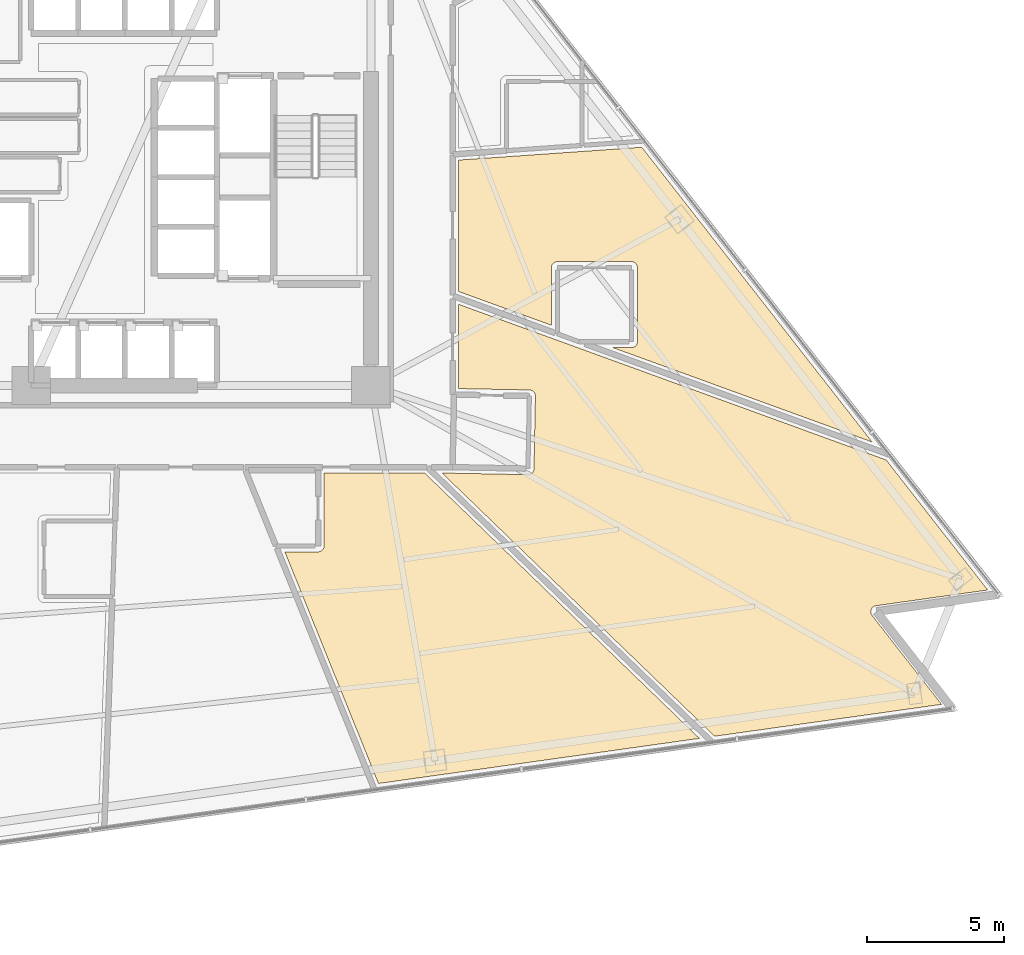
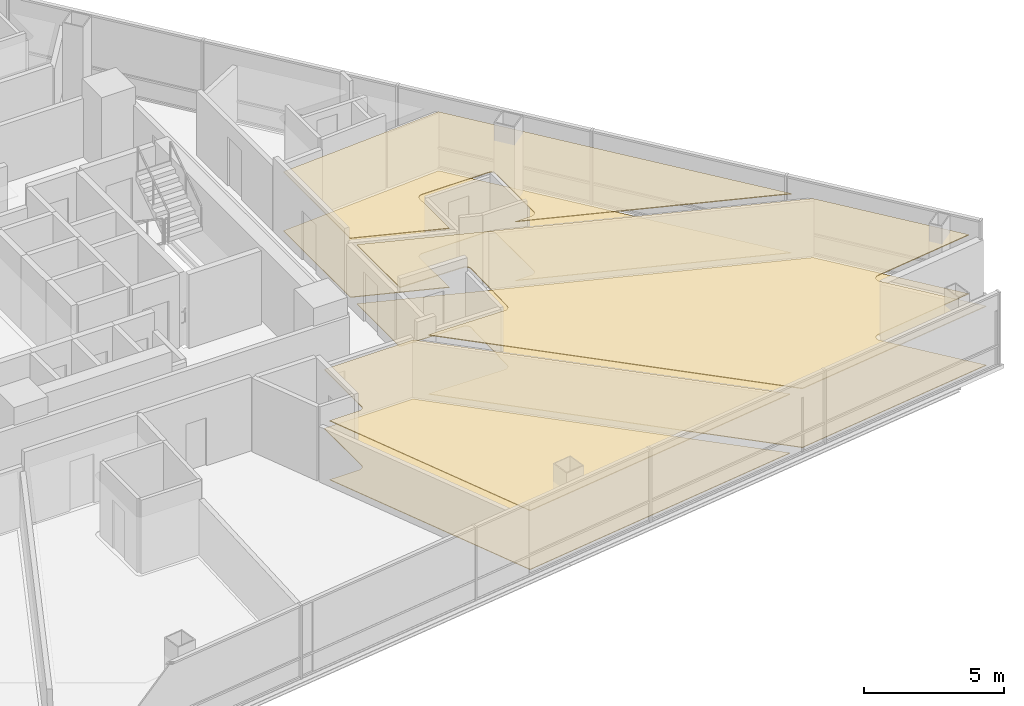
# One storey, part 13 of 15: 6 coverings.
"""IFC4 building model written with IfcOpenShell, lengths in metres."""

from ifc_helpers import new_model, si_unit, direction, frame, origin, place, context, subcontext, project, spatial, polyline, outline, extrude, material, layer, layer_set, type_object, element, save


model = new_model("IFC4")

# Units and contexts
model_context = context("Model", 3, precision=1e-05, world=origin(), true_north=direction((0.0, 1.0)))
body_context = subcontext(model_context, "Body", "Model", "MODEL_VIEW")
ifc_project = project(units=[si_unit("LENGTHUNIT", "METRE"), si_unit("AREAUNIT", "SQUARE_METRE"), si_unit("VOLUMEUNIT", "CUBIC_METRE"), si_unit("PLANEANGLEUNIT", "RADIAN"), si_unit("MASSUNIT", "GRAM", prefix="KILO")], contexts=[model_context])

# Site, building, storey
site_placement = place(None, origin())
site = spatial("IfcSite", under=ifc_project, at=site_placement, CompositionType="ELEMENT")
building_placement = place(site_placement, origin())
building = spatial("IfcBuilding", under=site, at=building_placement, Name="Tharavind Bronze Gate", CompositionType="ELEMENT")
storey_placement = place(building_placement, frame((0.0, 0.0, 60.449951171875)))
storey = spatial("IfcBuildingStorey", under=building, at=storey_placement, Name="L14", CompositionType="ELEMENT", Elevation=60.449951171875)

# Coverings
ifc_material_1 = material(Name="Engineered Oak & Carpet Tile", Category="wood")
ifc_layer_1 = layer(ifc_material_1, 0.02490234375)
ifc_layer_set_1 = layer_set([ifc_layer_1], Name="Engineered Oak & Carpet Tile")
covering_type_1 = type_object("IfcCoveringType", Name="ENGINEERED TIMBER FLOORING", PredefinedType="FLOORING", material=ifc_layer_set_1)
covering_1_placement = place(storey_placement, origin())
element("IfcCovering", 1, at=covering_1_placement, inside=storey, type_object=covering_type_1, Name="L14-RM-12 floor finish", PredefinedType="FLOORING", context=body_context, shape_type="SweptSolid", body=[
    extrude(outline(polyline([(7.193115234375, -13.449951171875), (7.19189453125, -13.4716796875), (7.18896484375, -13.492919921875), (7.18359375, -13.513916015625), (7.17626953125, -13.5341796875), (7.1669921875, -13.5537109375), (7.156005859375, -13.572265625), (7.14306640625, -13.589599609375), (7.128662109375, -13.605712890625), (7.112548828125, -13.6201171875), (7.09521484375, -13.6328125), (7.076904296875, -13.64404296875), (7.057373046875, -13.6533203125), (7.036865234375, -13.660400390625), (7.01611328125, -13.665771484375), (6.99462890625, -13.6689453125), (6.97314453125, -13.669921875), (5.76025390625, -13.669921875), (9.175048828125, -22.12158203125), (20.886474609375, -20.4755859375), (10.866943359375, -10.800048828125), (7.193115234375, -10.800048828125), (7.193115234375, -13.449951171875)])), origin(), (0.0, 0.0, 1.0), 0.025146484375),
])
covering_2_placement = place(storey_placement, origin())
element("IfcCovering", 2, at=covering_2_placement, inside=storey, type_object=covering_type_1, Name="L14-RM-13 floor finish", PredefinedType="FLOORING", context=body_context, shape_type="SweptSolid", body=[
    extrude(outline(polyline([(21.439453125, -20.39794921875), (29.7197265625, -19.234375), (27.184326171875, -15.989013671875), (27.177734375, -15.980224609375), (27.177490234375, -15.979736328125), (27.165771484375, -15.961181640625), (27.156005859375, -15.941650390625), (27.148193359375, -15.921142578125), (27.142333984375, -15.89990234375), (27.138916015625, -15.87841796875), (27.137451171875, -15.8564453125), (27.13818359375, -15.83447265625), (27.14111328125, -15.812744140625), (27.146240234375, -15.79150390625), (27.1533203125, -15.770751953125), (27.16259765625, -15.750732421875), (27.173583984375, -15.73193359375), (27.186767578125, -15.714111328125), (27.201416015625, -15.697998046875), (27.217529296875, -15.68310546875), (27.235107421875, -15.670166015625), (27.254150390625, -15.658935546875), (27.27392578125, -15.649658203125), (27.294677734375, -15.642333984375), (27.31591796875, -15.63720703125), (27.31640625, -15.636962890625), (27.327392578125, -15.63525390625), (31.405517578125, -15.06201171875), (27.69677734375, -10.31494140625), (12.10009765625, -4.63818359375), (12.10009765625, -7.713623046875), (14.684814453125, -7.763671875), (14.706298828125, -7.76513671875), (14.727783203125, -7.768798828125), (14.74853515625, -7.7744140625), (14.768798828125, -7.781982421875), (14.7880859375, -7.79150390625), (14.806396484375, -7.802978515625), (14.823486328125, -7.81640625), (14.839111328125, -7.8310546875), (14.853515625, -7.847412109375), (14.865966796875, -7.864990234375), (14.876708984375, -7.883544921875), (14.885498046875, -7.9033203125), (14.892333984375, -7.923828125), (14.897216796875, -7.94482421875), (14.89990234375, -7.96630859375), (14.900634765625, -7.98779296875), (14.849365234375, -10.63720703125), (14.847900390625, -10.658935546875), (14.844482421875, -10.68017578125), (14.838623046875, -10.700927734375), (14.8310546875, -10.72119140625), (14.8212890625, -10.740478515625), (14.81005859375, -10.7587890625), (14.796875, -10.77587890625), (14.781982421875, -10.79150390625), (14.765625, -10.805908203125), (14.748046875, -10.818359375), (14.7294921875, -10.8291015625), (14.709716796875, -10.837890625), (14.689208984375, -10.8447265625), (14.668212890625, -10.849609375), (14.646728515625, -10.852294921875), (14.625244140625, -10.85302734375), (11.877197265625, -10.800048828125), (11.50048828125, -10.800048828125), (21.439453125, -20.39794921875)])), origin(), (0.0, 0.0, 1.0), 0.025146484375),
])
covering_3_placement = place(storey_placement, origin())
element("IfcCovering", 3, at=covering_3_placement, inside=storey, type_object=covering_type_1, Name="L14-RM-14 floor finish", PredefinedType="FLOORING", context=body_context, shape_type="SweptSolid", body=[
    extrude(outline(polyline([(12.10009765625, -4.169921875), (15.482421875, -5.40087890625), (15.482421875, -3.302001953125), (15.4833984375, -3.280517578125), (15.48681640625, -3.259033203125), (15.491943359375, -3.23828125), (15.499267578125, -3.2177734375), (15.50830078125, -3.1982421875), (15.51953125, -3.1796875), (15.532470703125, -3.16259765625), (15.546875, -3.146484375), (15.56298828125, -3.132080078125), (15.580078125, -3.119140625), (15.598876953125, -3.10791015625), (15.618408203125, -3.098876953125), (15.638671875, -3.091552734375), (15.659423828125, -3.086181640625), (15.680908203125, -3.0830078125), (15.702392578125, -3.08203125), (18.402587890625, -3.08203125), (18.424072265625, -3.0830078125), (18.4453125, -3.086181640625), (18.46630859375, -3.091552734375), (18.48681640625, -3.098876953125), (18.506103515625, -3.10791015625), (18.524658203125, -3.119140625), (18.5419921875, -3.132080078125), (18.55810546875, -3.146484375), (18.572509765625, -3.16259765625), (18.58544921875, -3.1796875), (18.596435546875, -3.1982421875), (18.605712890625, -3.2177734375), (18.613037109375, -3.23828125), (18.6181640625, -3.259033203125), (18.621337890625, -3.280517578125), (18.62255859375, -3.302001953125), (18.62255859375, -6.001953125), (18.621337890625, -6.023681640625), (18.6181640625, -6.044921875), (18.613037109375, -6.06591796875), (18.605712890625, -6.086181640625), (18.596435546875, -6.105712890625), (18.58544921875, -6.124267578125), (18.572509765625, -6.1416015625), (18.55810546875, -6.15771484375), (18.5419921875, -6.172119140625), (18.524658203125, -6.184814453125), (18.506103515625, -6.196044921875), (18.48681640625, -6.205322265625), (18.46630859375, -6.212646484375), (18.4453125, -6.2177734375), (18.424072265625, -6.220947265625), (18.402587890625, -6.221923828125), (17.738037109375, -6.221923828125), (27.185546875, -9.66064453125), (18.783935546875, 1.093017578125), (12.10009765625, 0.62548828125), (12.10009765625, -4.169921875)])), origin(), (0.0, 0.0, 1.0), 0.025146484375),
])
ifc_material_2 = material(Name="Acoustic Gypsum Board", Category="gypsum")
ifc_layer_2 = layer(ifc_material_2, 0.030029296875)
ifc_layer_set_2 = layer_set([ifc_layer_2], Name="Acoustic Gypsum Board")
covering_type_2 = type_object("IfcCoveringType", Name="GYPSUM SUSPENDED CEILING", PredefinedType="CEILING", material=ifc_layer_set_2)
covering_4_placement = place(storey_placement, frame((0.0, 0.0, 2.574951171875)))
element("IfcCovering", 4, at=covering_4_placement, inside=storey, type_object=covering_type_2, Name="L14-RM-12 suspended ceiling", PredefinedType="CEILING", context=body_context, shape_type="SweptSolid", body=[
    extrude(outline(polyline([(7.193115234375, -13.449951171875), (7.19189453125, -13.4716796875), (7.18896484375, -13.492919921875), (7.18359375, -13.513916015625), (7.17626953125, -13.5341796875), (7.1669921875, -13.5537109375), (7.156005859375, -13.572265625), (7.14306640625, -13.589599609375), (7.128662109375, -13.605712890625), (7.112548828125, -13.6201171875), (7.09521484375, -13.6328125), (7.076904296875, -13.64404296875), (7.057373046875, -13.6533203125), (7.036865234375, -13.660400390625), (7.01611328125, -13.665771484375), (6.99462890625, -13.6689453125), (6.97314453125, -13.669921875), (5.76025390625, -13.669921875), (9.175048828125, -22.12158203125), (20.886474609375, -20.4755859375), (10.866943359375, -10.800048828125), (7.193115234375, -10.800048828125), (7.193115234375, -13.449951171875)])), origin(), (0.0, 0.0, 1.0), 0.03515625),
])
covering_5_placement = place(storey_placement, frame((0.0, 0.0, 2.574951171875)))
element("IfcCovering", 5, at=covering_5_placement, inside=storey, type_object=covering_type_2, Name="L14-RM-13 suspended ceiling", PredefinedType="CEILING", context=body_context, shape_type="SweptSolid", body=[
    extrude(outline(polyline([(21.439453125, -20.39794921875), (29.7197265625, -19.234375), (27.184326171875, -15.989013671875), (27.177734375, -15.980224609375), (27.177490234375, -15.979736328125), (27.165771484375, -15.961181640625), (27.156005859375, -15.941650390625), (27.148193359375, -15.921142578125), (27.142333984375, -15.89990234375), (27.138916015625, -15.87841796875), (27.137451171875, -15.8564453125), (27.13818359375, -15.83447265625), (27.14111328125, -15.812744140625), (27.146240234375, -15.79150390625), (27.1533203125, -15.770751953125), (27.16259765625, -15.750732421875), (27.173583984375, -15.73193359375), (27.186767578125, -15.714111328125), (27.201416015625, -15.697998046875), (27.217529296875, -15.68310546875), (27.235107421875, -15.670166015625), (27.254150390625, -15.658935546875), (27.27392578125, -15.649658203125), (27.294677734375, -15.642333984375), (27.31591796875, -15.63720703125), (27.31640625, -15.636962890625), (27.327392578125, -15.63525390625), (31.405517578125, -15.06201171875), (27.69677734375, -10.31494140625), (12.10009765625, -4.63818359375), (12.10009765625, -7.713623046875), (14.684814453125, -7.763671875), (14.706298828125, -7.76513671875), (14.727783203125, -7.768798828125), (14.74853515625, -7.7744140625), (14.768798828125, -7.781982421875), (14.7880859375, -7.79150390625), (14.806396484375, -7.802978515625), (14.823486328125, -7.81640625), (14.839111328125, -7.8310546875), (14.853515625, -7.847412109375), (14.865966796875, -7.864990234375), (14.876708984375, -7.883544921875), (14.885498046875, -7.9033203125), (14.892333984375, -7.923828125), (14.897216796875, -7.94482421875), (14.89990234375, -7.96630859375), (14.900634765625, -7.98779296875), (14.849365234375, -10.63720703125), (14.847900390625, -10.658935546875), (14.844482421875, -10.68017578125), (14.838623046875, -10.700927734375), (14.8310546875, -10.72119140625), (14.8212890625, -10.740478515625), (14.81005859375, -10.7587890625), (14.796875, -10.77587890625), (14.781982421875, -10.79150390625), (14.765625, -10.805908203125), (14.748046875, -10.818359375), (14.7294921875, -10.8291015625), (14.709716796875, -10.837890625), (14.689208984375, -10.8447265625), (14.668212890625, -10.849609375), (14.646728515625, -10.852294921875), (14.625244140625, -10.85302734375), (11.877197265625, -10.800048828125), (11.50048828125, -10.800048828125), (21.439453125, -20.39794921875)])), origin(), (0.0, 0.0, 1.0), 0.03515625),
])
covering_6_placement = place(storey_placement, frame((0.0, 0.0, 2.574951171875)))
element("IfcCovering", 6, at=covering_6_placement, inside=storey, type_object=covering_type_2, Name="L14-RM-14 suspended ceiling", PredefinedType="CEILING", context=body_context, shape_type="SweptSolid", body=[
    extrude(outline(polyline([(12.10009765625, -4.169921875), (15.482421875, -5.40087890625), (15.482421875, -3.302001953125), (15.4833984375, -3.280517578125), (15.48681640625, -3.259033203125), (15.491943359375, -3.23828125), (15.499267578125, -3.2177734375), (15.50830078125, -3.1982421875), (15.51953125, -3.1796875), (15.532470703125, -3.16259765625), (15.546875, -3.146484375), (15.56298828125, -3.132080078125), (15.580078125, -3.119140625), (15.598876953125, -3.10791015625), (15.618408203125, -3.098876953125), (15.638671875, -3.091552734375), (15.659423828125, -3.086181640625), (15.680908203125, -3.0830078125), (15.702392578125, -3.08203125), (18.402587890625, -3.08203125), (18.424072265625, -3.0830078125), (18.4453125, -3.086181640625), (18.46630859375, -3.091552734375), (18.48681640625, -3.098876953125), (18.506103515625, -3.10791015625), (18.524658203125, -3.119140625), (18.5419921875, -3.132080078125), (18.55810546875, -3.146484375), (18.572509765625, -3.16259765625), (18.58544921875, -3.1796875), (18.596435546875, -3.1982421875), (18.605712890625, -3.2177734375), (18.613037109375, -3.23828125), (18.6181640625, -3.259033203125), (18.621337890625, -3.280517578125), (18.62255859375, -3.302001953125), (18.62255859375, -6.001953125), (18.621337890625, -6.023681640625), (18.6181640625, -6.044921875), (18.613037109375, -6.06591796875), (18.605712890625, -6.086181640625), (18.596435546875, -6.105712890625), (18.58544921875, -6.124267578125), (18.572509765625, -6.1416015625), (18.55810546875, -6.15771484375), (18.5419921875, -6.172119140625), (18.524658203125, -6.184814453125), (18.506103515625, -6.196044921875), (18.48681640625, -6.205322265625), (18.46630859375, -6.212646484375), (18.4453125, -6.2177734375), (18.424072265625, -6.220947265625), (18.402587890625, -6.221923828125), (17.738037109375, -6.221923828125), (27.185546875, -9.66064453125), (18.783935546875, 1.093017578125), (12.10009765625, 0.62548828125), (12.10009765625, -4.169921875)])), origin(), (0.0, 0.0, 1.0), 0.03515625),
])

save(model, "model.ifc")
